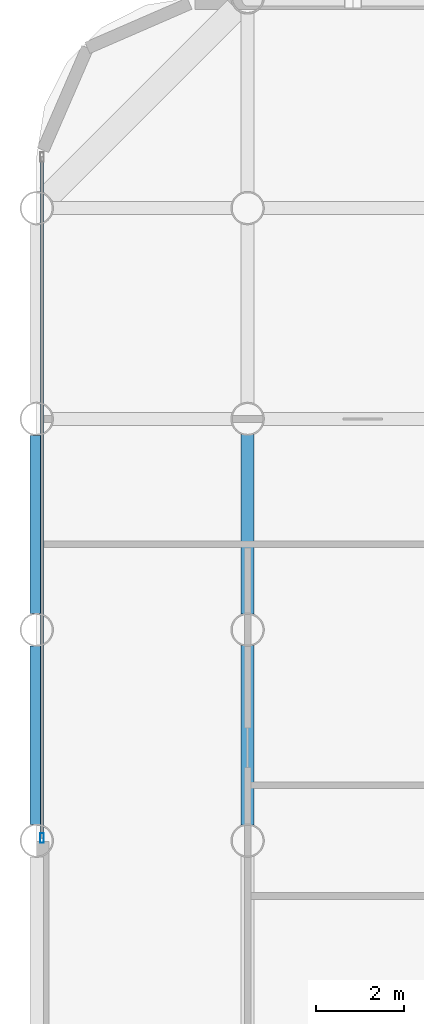
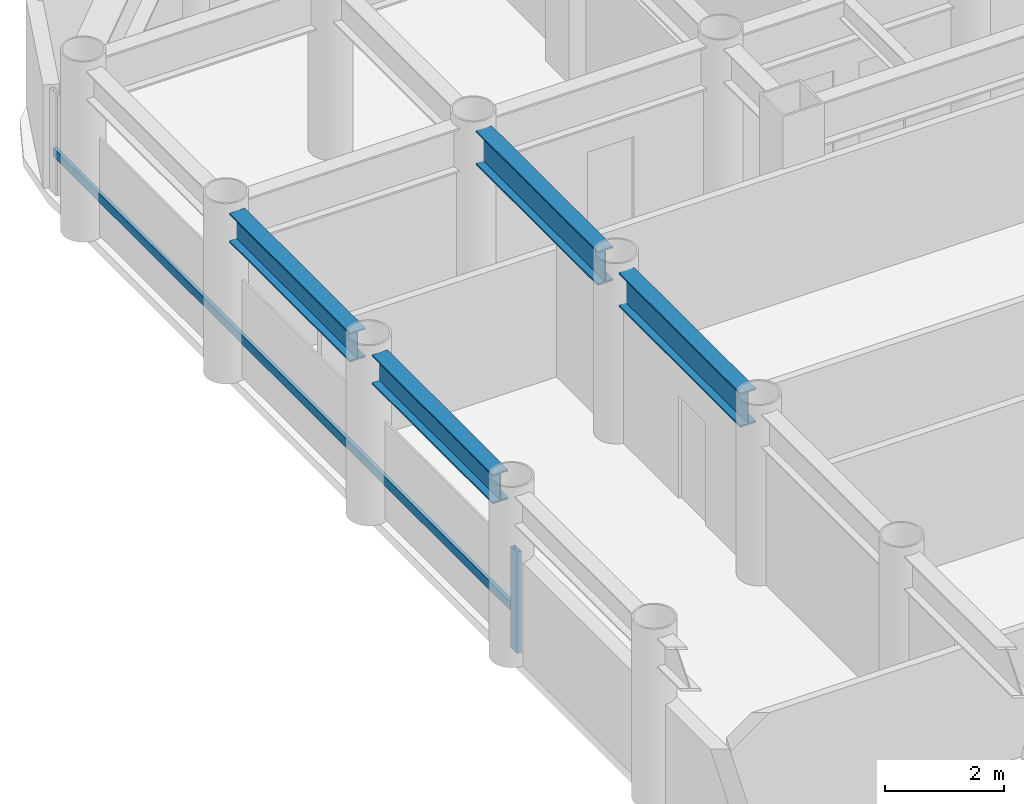
# One storey, part 4 of 21: 4 beams, 2 members, 1 element without a shape of its own.
"""IFC4 building model written with IfcOpenShell, lengths in metres."""

from ifc_helpers import new_model, si_unit, direction, frame, origin, origin_2d, place, context, subcontext, project, spatial, hollow_rectangle, i_section, extrude, material, layer, layer_set, material_profile, profile_set, type_object, element, aggregate, save


model = new_model("IFC4")

# Units and contexts
model_context = context("Model", 3, precision=1e-05, world=origin(), true_north=direction((0.0, 1.0)))
body_context = subcontext(model_context, "Body", "Model", "MODEL_VIEW")
ifc_project = project(units=[si_unit("LENGTHUNIT", "METRE"), si_unit("AREAUNIT", "SQUARE_METRE"), si_unit("VOLUMEUNIT", "CUBIC_METRE"), si_unit("PLANEANGLEUNIT", "RADIAN"), si_unit("MASSUNIT", "GRAM", prefix="KILO")], contexts=[model_context])

# Site, building, storey
site_placement = place(None, origin())
site = spatial("IfcSite", under=ifc_project, at=site_placement, CompositionType="ELEMENT")
building_placement = place(site_placement, origin())
building = spatial("IfcBuilding", under=site, at=building_placement, Name="Kallvorn Hotel Tower", CompositionType="ELEMENT")
storey_placement = place(building_placement, frame((0.0, 0.0, 44.800048828125)))
storey = spatial("IfcBuildingStorey", under=building, at=storey_placement, Name="L09", CompositionType="ELEMENT", Elevation=44.800048828125)

# Beams
ifc_material_1 = material(Name="Structural steel S355JR", Category="steel")
ifc_material_profile_1 = material_profile(ifc_material_1, i_section(OverallWidth=0.300048828125, OverallDepth=0.60009765625, WebThickness=0.015380859375, FlangeThickness=0.030029296875, at=origin_2d()), Name="HE 600 B")
ifc_profile_set_1 = profile_set([ifc_material_profile_1], Name="Structural steel S355JR")
beam_type_1 = type_object("IfcBeamType", Name="BM_HE600B", PredefinedType="SPANDREL", material=ifc_profile_set_1)
beam_1_placement = place(storey_placement, frame((-33.60009765625, 0.37109375, 3.219970703125), z_axis=(0.0, 1.0, 0.0), x_axis=(-1.0, 0.0, 0.0)))
element("IfcBeam", 1, at=beam_1_placement, inside=storey, type_object=beam_type_1, Name="L10 Perimeter Spandrel 178", PredefinedType="SPANDREL", context=body_context, shape_type="SweptSolid", body=[
    extrude(i_section(OverallWidth=0.300048828125, OverallDepth=0.60009765625, WebThickness=0.015380859375, FlangeThickness=0.030029296875, at=origin_2d()), origin(), (0.0, 0.0, 1.0), 4.057861328125),
])
beam_2_placement = place(storey_placement, frame((-33.60009765625, 5.1708984375, 3.219970703125), z_axis=(0.0, 1.0, 0.0), x_axis=(-1.0, 0.0, 0.0)))
element("IfcBeam", 2, at=beam_2_placement, inside=storey, type_object=beam_type_1, Name="L10 Perimeter Spandrel 179", PredefinedType="SPANDREL", context=body_context, shape_type="SweptSolid", body=[
    extrude(i_section(OverallWidth=0.300048828125, OverallDepth=0.60009765625, WebThickness=0.015380859375, FlangeThickness=0.030029296875, at=origin_2d()), origin(), (0.0, 0.0, 1.0), 4.05810546875),
])
ifc_material_2 = material(Name="Structural steel S355JR", Category="steel")
ifc_material_profile_2 = material_profile(ifc_material_2, i_section(OverallWidth=0.300048828125, OverallDepth=0.699951171875, WebThickness=0.01708984375, FlangeThickness=0.031982421875, at=origin_2d()), Name="HE 700 B")
ifc_profile_set_2 = profile_set([ifc_material_profile_2], Name="Structural steel S355JR")
beam_type_2 = type_object("IfcBeamType", Name="BM_HE700B", PredefinedType="BEAM", material=ifc_profile_set_2)
beam_3_placement = place(storey_placement, frame((-28.800048828125, 0.35595703125, 3.169921875), z_axis=(0.0, 1.0, 0.0), x_axis=(-1.0, 0.0, 0.0)))
element("IfcBeam", 3, at=beam_3_placement, inside=storey, type_object=beam_type_2, Name="L10 Primary Y-Girder 78", PredefinedType="BEAM", context=body_context, shape_type="SweptSolid", body=[
    extrude(i_section(OverallWidth=0.300048828125, OverallDepth=0.699951171875, WebThickness=0.01708984375, FlangeThickness=0.031982421875, at=origin_2d()), origin(), (0.0, 0.0, 1.0), 4.088134765625),
])
beam_4_placement = place(storey_placement, frame((-28.800048828125, 5.156005859375, 3.169921875), z_axis=(0.0, 1.0, 0.0), x_axis=(-1.0, 0.0, 0.0)))
element("IfcBeam", 4, at=beam_4_placement, inside=storey, type_object=beam_type_2, Name="L10 Primary Y-Girder 79", PredefinedType="BEAM", context=body_context, shape_type="SweptSolid", body=[
    extrude(i_section(OverallWidth=0.300048828125, OverallDepth=0.699951171875, WebThickness=0.01708984375, FlangeThickness=0.031982421875, at=origin_2d()), origin(), (0.0, 0.0, 1.0), 4.087890625),
])

# Curtain wall, members
ifc_material_3 = material(Name="Thermally broken black-anodised aluminium AA 6063-T6", Category="aluminium")
ifc_layer = layer(ifc_material_3, 0.199951171875)
ifc_layer_set = layer_set([ifc_layer], Name="CW_SYS_3_HOTEL_LOW")
curtain_wall_type = type_object("IfcCurtainWallType", Name="CW_SYS_3_HOTEL_LOW", PredefinedType="USERDEFINED", material=ifc_layer_set)
curtain_wall_placement = place(storey_placement, origin())
curtain_wall = element("IfcCurtainWall", 5, at=curtain_wall_placement, inside=storey, type_object=curtain_wall_type, Name="L09 Dark-Glass Curtain Wall CW-L09-WN", ObjectType="UNITISED CURTAIN WALL", PredefinedType="USERDEFINED")
ifc_material_4 = material(Name="Thermally broken black-anodised aluminium AA 6063-T6", Category="aluminium")
ifc_material_profile_3 = material_profile(ifc_material_4, hollow_rectangle(XDim=0.080078125, YDim=0.219970703125, WallThickness=0.0048828125, at=origin_2d()), Name="MUL 220x80")
ifc_profile_set_3 = profile_set([ifc_material_profile_3], Name="Thermally broken black-anodised aluminium AA 6063-T6")
member_type_1 = type_object("IfcMemberType", Name="CW_MULLION_220x80", PredefinedType="MULLION", material=ifc_profile_set_3)
member_1_placement = place(storey_placement, frame((-33.47998046875, 0.06005859375, 0.02001953125), z_axis=(0.0, 0.0, 1.0), x_axis=(1.0, 0.0, 0.0)))
member_1 = element("IfcMember", 6, at=member_1_placement, type_object=member_type_1, Name="CW-L09-WN Mullion 00", PredefinedType="MULLION", context=body_context, shape_type="SweptSolid", body=[
    extrude(hollow_rectangle(XDim=0.080078125, YDim=0.219970703125, WallThickness=0.0048828125, at=origin_2d()), origin(), (0.0, 0.0, 1.0), 2.079833984375),
])
ifc_material_5 = material(Name="Thermally broken black-anodised aluminium AA 6063-T6", Category="aluminium")
ifc_material_profile_4 = material_profile(ifc_material_5, hollow_rectangle(XDim=0.070068359375, YDim=0.179931640625, WallThickness=0.00390625, at=origin_2d()), Name="TRN 180x70")
ifc_profile_set_4 = profile_set([ifc_material_profile_4], Name="Thermally broken black-anodised aluminium AA 6063-T6")
member_type_2 = type_object("IfcMemberType", Name="CW_TRANSOM_180x70", PredefinedType="USERDEFINED", material=ifc_profile_set_4)
member_2_placement = place(storey_placement, frame((-33.47998046875, 0.06005859375, 0.849853515625), z_axis=(0.0, 1.0, 0.0), x_axis=(-1.0, 0.0, 0.0)))
member_2 = element("IfcMember", 7, at=member_2_placement, type_object=member_type_2, Name="CW-L09-WN Transom 00M", ObjectType="TRANSOM", PredefinedType="USERDEFINED", context=body_context, shape_type="SweptSolid", body=[
    extrude(hollow_rectangle(XDim=0.070068359375, YDim=0.179931640625, WallThickness=0.00390625, at=origin_2d()), origin(), (0.0, 0.0, 1.0), 15.5),
])
aggregate(curtain_wall, [member_1, member_2])

save(model, "model.ifc")
